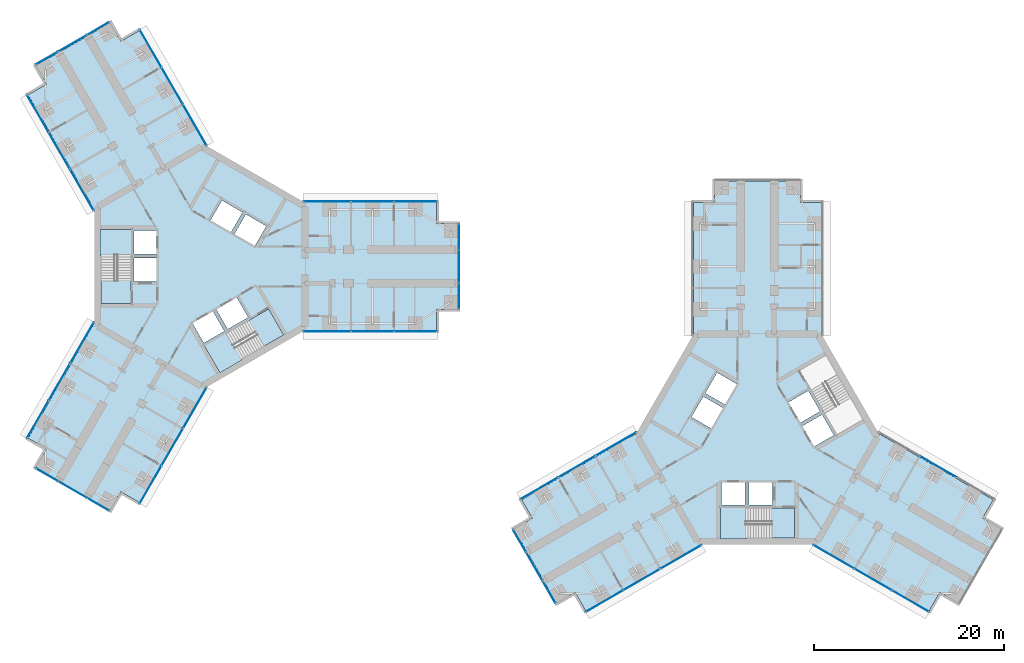
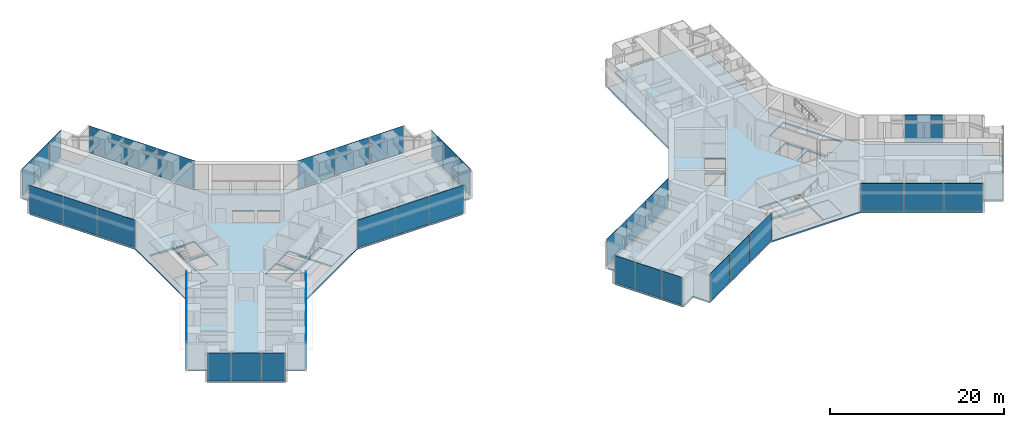
# One storey, part 14 of 22: 40 plates, 8 slabs, 17 elements without a shape of their own.
"""IFC4 building model written with IfcOpenShell, lengths in metres."""

from ifc_helpers import new_model, si_unit, direction, frame, origin, origin_2d, place, context, subcontext, project, spatial, polyline, rectangle, outline, extrude, material, layer, layer_set, type_object, element, aggregate, save


model = new_model("IFC4")

# Units and contexts
model_context = context("Model", 3, precision=1e-05, world=origin(), true_north=direction((0.0, 1.0)))
body_context = subcontext(model_context, "Body", "Model", "MODEL_VIEW")
ifc_project = project(units=[si_unit("LENGTHUNIT", "METRE"), si_unit("AREAUNIT", "SQUARE_METRE"), si_unit("VOLUMEUNIT", "CUBIC_METRE"), si_unit("PLANEANGLEUNIT", "RADIAN"), si_unit("MASSUNIT", "GRAM", prefix="KILO")], contexts=[model_context])

# Site, building, storey
site_placement = place(None, origin())
site = spatial("IfcSite", under=ifc_project, at=site_placement, CompositionType="ELEMENT")
building_placement = place(site_placement, origin())
building = spatial("IfcBuilding", under=site, at=building_placement, Name="Upepo Twin Towers", CompositionType="ELEMENT")
storey_placement = place(building_placement, frame((0.0, 0.0, 36.5)))
storey = spatial("IfcBuildingStorey", under=building, at=storey_placement, Name="L08", CompositionType="ELEMENT", Elevation=36.5)

# Curtain wall, plates
ifc_material_1 = material(Name="Aluminium and fritted glass", Category="aluminium")
curtain_wall_type = type_object("IfcCurtainWallType", Name="Tower curtain wall TW1, fritted glass", PredefinedType="NOTDEFINED", material=ifc_material_1)
curtain_wall_1_placement = place(storey_placement, origin())
curtain_wall_1 = element("IfcCurtainWall", 1, at=curtain_wall_1_placement, inside=storey, type_object=curtain_wall_type, Name="T1 L08 wing A flank L curtain wall", PredefinedType="NOTDEFINED")
ifc_material_2 = material(Name="Ceramic-fritted laminated glass", Category="glass")
ifc_layer_1 = layer(ifc_material_2, 0.031982421875)
ifc_layer_set_1 = layer_set([ifc_layer_1], Name="Fritted glass panel, 20 per cent dot frit, 32 mm double glazed")
plate_type_1 = type_object("IfcPlateType", Name="Fritted glass panel, 20 per cent dot frit, 32 mm double glazed", PredefinedType="CURTAIN_PANEL", material=ifc_layer_set_1)
plate_1_placement = place(storey_placement, frame((13.23486328125, 6.85009765625, 0.14990234375), z_axis=(0.0, 0.0, 1.0), x_axis=(1.0, 0.0, 0.0)))
plate_1 = element("IfcPlate", 2, at=plate_1_placement, type_object=plate_type_1, Name="T1 L08 wing A flank L curtain wall panel 1", PredefinedType="CURTAIN_PANEL", context=body_context, shape_type="SweptSolid", body=[
    extrude(rectangle(XDim=4.96533203125, YDim=0.031982421875, at=origin_2d()), origin(), (0.0, 0.0, 1.0), 3.85009765625),
])
plate_2_placement = place(storey_placement, frame((18.0, 6.85009765625, 0.14990234375), z_axis=(0.0, 0.0, 1.0), x_axis=(1.0, 0.0, 0.0)))
plate_2 = element("IfcPlate", 3, at=plate_2_placement, type_object=plate_type_1, Name="T1 L08 wing A flank L curtain wall panel 2", PredefinedType="CURTAIN_PANEL", context=body_context, shape_type="SweptSolid", body=[
    extrude(rectangle(XDim=4.43505859375, YDim=0.031982421875, at=origin_2d()), origin(), (0.0, 0.0, 1.0), 3.85009765625),
])
plate_3_placement = place(storey_placement, frame((22.53369140625, 6.85009765625, 0.14990234375), z_axis=(0.0, 0.0, 1.0), x_axis=(1.0, 0.0, 0.0)))
plate_3 = element("IfcPlate", 4, at=plate_3_placement, type_object=plate_type_1, Name="T1 L08 wing A flank L curtain wall panel 3", PredefinedType="CURTAIN_PANEL", context=body_context, shape_type="SweptSolid", body=[
    extrude(rectangle(XDim=4.50244140625, YDim=0.031982421875, at=origin_2d()), origin(), (0.0, 0.0, 1.0), 3.85009765625),
])
aggregate(curtain_wall_1, [plate_1, plate_2, plate_3])

curtain_wall_2_placement = place(storey_placement, origin())
curtain_wall_2 = element("IfcCurtainWall", 5, at=curtain_wall_2_placement, inside=storey, type_object=curtain_wall_type, Name="T1 L08 wing A flank R curtain wall", PredefinedType="NOTDEFINED")
plate_4_placement = place(storey_placement, frame((22.53369140625, -6.85009765625, 0.14990234375), z_axis=(0.0, 0.0, 1.0), x_axis=(-1.0, 0.0, 0.0)))
plate_4 = element("IfcPlate", 6, at=plate_4_placement, type_object=plate_type_1, Name="T1 L08 wing A flank R curtain wall panel 1", PredefinedType="CURTAIN_PANEL", context=body_context, shape_type="SweptSolid", body=[
    extrude(rectangle(XDim=4.50244140625, YDim=0.031982421875, at=origin_2d()), origin(), (0.0, 0.0, 1.0), 3.85009765625),
])
plate_5_placement = place(storey_placement, frame((18.0, -6.85009765625, 0.14990234375), z_axis=(0.0, 0.0, 1.0), x_axis=(-1.0, 0.0, 0.0)))
plate_5 = element("IfcPlate", 7, at=plate_5_placement, type_object=plate_type_1, Name="T1 L08 wing A flank R curtain wall panel 2", PredefinedType="CURTAIN_PANEL", context=body_context, shape_type="SweptSolid", body=[
    extrude(rectangle(XDim=4.43505859375, YDim=0.031982421875, at=origin_2d()), origin(), (0.0, 0.0, 1.0), 3.85009765625),
])
plate_6_placement = place(storey_placement, frame((13.23486328125, -6.85009765625, 0.14990234375), z_axis=(0.0, 0.0, 1.0), x_axis=(-1.0, 0.0, 0.0)))
plate_6 = element("IfcPlate", 8, at=plate_6_placement, type_object=plate_type_1, Name="T1 L08 wing A flank R curtain wall panel 3", PredefinedType="CURTAIN_PANEL", context=body_context, shape_type="SweptSolid", body=[
    extrude(rectangle(XDim=4.96533203125, YDim=0.031982421875, at=origin_2d()), origin(), (0.0, 0.0, 1.0), 3.85009765625),
])
aggregate(curtain_wall_2, [plate_4, plate_5, plate_6])

# Curtain wall, plate
curtain_wall_3_placement = place(storey_placement, origin())
curtain_wall_3 = element("IfcCurtainWall", 9, at=curtain_wall_3_placement, inside=storey, type_object=curtain_wall_type, Name="T1 L08 wing A nose curtain wall", PredefinedType="NOTDEFINED")
plate_7_placement = place(storey_placement, frame((27.10009765625, 0.0, 0.14990234375), z_axis=(0.0, 0.0, 1.0), x_axis=(0.0, 1.0, 0.0)))
plate_7 = element("IfcPlate", 10, at=plate_7_placement, type_object=plate_type_1, Name="T1 L08 wing A nose curtain wall panel 2", PredefinedType="CURTAIN_PANEL", context=body_context, shape_type="SweptSolid", body=[
    extrude(rectangle(XDim=3.43505859375, YDim=0.031982421875, at=origin_2d()), origin(), (0.0, 0.0, 1.0), 3.85009765625),
])

# Curtain wall, plates
curtain_wall_4_placement = place(storey_placement, origin())
curtain_wall_4 = element("IfcCurtainWall", 11, at=curtain_wall_4_placement, inside=storey, type_object=curtain_wall_type, Name="T1 L08 wing B flank L curtain wall", PredefinedType="NOTDEFINED")
plate_8_placement = place(storey_placement, frame((-12.549560546875, 8.03662109375, 0.14990234375), z_axis=(0.0, 0.0, 1.0), x_axis=(-0.500000024426, 0.866025389682, 0.0)))
plate_8 = element("IfcPlate", 12, at=plate_8_placement, type_object=plate_type_1, Name="T1 L08 wing B flank L curtain wall panel 1", PredefinedType="CURTAIN_PANEL", context=body_context, shape_type="SweptSolid", body=[
    extrude(rectangle(XDim=4.96533203125, YDim=0.031982421875, at=origin_2d()), origin(), (0.0, 0.0, 1.0), 3.85009765625),
])
plate_9_placement = place(storey_placement, frame((-14.932373046875, 12.16357421875, 0.14990234375), z_axis=(0.0, 0.0, 1.0), x_axis=(-0.500000024426, 0.866025389682, 0.0)))
plate_9 = element("IfcPlate", 13, at=plate_9_placement, type_object=plate_type_1, Name="T1 L08 wing B flank L curtain wall panel 2", PredefinedType="CURTAIN_PANEL", context=body_context, shape_type="SweptSolid", body=[
    extrude(rectangle(XDim=4.43505859375, YDim=0.031982421875, at=origin_2d()), origin(), (0.0, 0.0, 1.0), 3.85009765625),
])
plate_10_placement = place(storey_placement, frame((-17.19921875, 16.08984375, 0.14990234375), z_axis=(0.0, 0.0, 1.0), x_axis=(-0.500000024426, 0.866025389682, 0.0)))
plate_10 = element("IfcPlate", 14, at=plate_10_placement, type_object=plate_type_1, Name="T1 L08 wing B flank L curtain wall panel 3", PredefinedType="CURTAIN_PANEL", context=body_context, shape_type="SweptSolid", body=[
    extrude(rectangle(XDim=4.50244140625, YDim=0.031982421875, at=origin_2d()), origin(), (0.0, 0.0, 1.0), 3.85009765625),
])
aggregate(curtain_wall_4, [plate_8, plate_9, plate_10])

curtain_wall_5_placement = place(storey_placement, origin())
curtain_wall_5 = element("IfcCurtainWall", 15, at=curtain_wall_5_placement, inside=storey, type_object=curtain_wall_type, Name="T1 L08 wing B flank R curtain wall", PredefinedType="NOTDEFINED")
plate_11_placement = place(storey_placement, frame((-5.334716796875, 22.939697265625, 0.14990234375), z_axis=(0.0, 0.0, 1.0), x_axis=(0.500000024426, -0.866025389682, 0.0)))
plate_11 = element("IfcPlate", 16, at=plate_11_placement, type_object=plate_type_1, Name="T1 L08 wing B flank R curtain wall panel 1", PredefinedType="CURTAIN_PANEL", context=body_context, shape_type="SweptSolid", body=[
    extrude(rectangle(XDim=4.50244140625, YDim=0.031982421875, at=origin_2d()), origin(), (0.0, 0.0, 1.0), 3.85009765625),
])
plate_12_placement = place(storey_placement, frame((-3.067626953125, 19.013427734375, 0.14990234375), z_axis=(0.0, 0.0, 1.0), x_axis=(0.500000024426, -0.866025389682, 0.0)))
plate_12 = element("IfcPlate", 17, at=plate_12_placement, type_object=plate_type_1, Name="T1 L08 wing B flank R curtain wall panel 2", PredefinedType="CURTAIN_PANEL", context=body_context, shape_type="SweptSolid", body=[
    extrude(rectangle(XDim=4.43505859375, YDim=0.031982421875, at=origin_2d()), origin(), (0.0, 0.0, 1.0), 3.85009765625),
])
plate_13_placement = place(storey_placement, frame((-0.68505859375, 14.88671875, 0.14990234375), z_axis=(0.0, 0.0, 1.0), x_axis=(0.500000024426, -0.866025389682, 0.0)))
plate_13 = element("IfcPlate", 18, at=plate_13_placement, type_object=plate_type_1, Name="T1 L08 wing B flank R curtain wall panel 3", PredefinedType="CURTAIN_PANEL", context=body_context, shape_type="SweptSolid", body=[
    extrude(rectangle(XDim=4.96533203125, YDim=0.031982421875, at=origin_2d()), origin(), (0.0, 0.0, 1.0), 3.85009765625),
])
aggregate(curtain_wall_5, [plate_11, plate_12, plate_13])

# Curtain wall, plate
curtain_wall_6_placement = place(storey_placement, origin())
curtain_wall_6 = element("IfcCurtainWall", 19, at=curtain_wall_6_placement, inside=storey, type_object=curtain_wall_type, Name="T1 L08 wing B nose curtain wall", PredefinedType="NOTDEFINED")
plate_14_placement = place(storey_placement, frame((-13.550048828125, 23.46923828125, 0.14990234375), z_axis=(0.0, 0.0, 1.0), x_axis=(-0.866025386174, -0.500000030502, 0.0)))
plate_14 = element("IfcPlate", 20, at=plate_14_placement, type_object=plate_type_1, Name="T1 L08 wing B nose curtain wall panel 2", PredefinedType="CURTAIN_PANEL", context=body_context, shape_type="SweptSolid", body=[
    extrude(rectangle(XDim=3.43505859375, YDim=0.031982421875, at=origin_2d()), origin(), (0.0, 0.0, 1.0), 3.85009765625),
])

# Curtain wall, plates
curtain_wall_7_placement = place(storey_placement, origin())
curtain_wall_7 = element("IfcCurtainWall", 21, at=curtain_wall_7_placement, inside=storey, type_object=curtain_wall_type, Name="T1 L08 wing C flank L curtain wall", PredefinedType="NOTDEFINED")
plate_15_placement = place(storey_placement, frame((-0.68505859375, -14.88671875, 0.14990234375), z_axis=(0.0, 0.0, 1.0), x_axis=(-0.500000024426, -0.866025389682, 0.0)))
plate_15 = element("IfcPlate", 22, at=plate_15_placement, type_object=plate_type_1, Name="T1 L08 wing C flank L curtain wall panel 1", PredefinedType="CURTAIN_PANEL", context=body_context, shape_type="SweptSolid", body=[
    extrude(rectangle(XDim=4.96533203125, YDim=0.031982421875, at=origin_2d()), origin(), (0.0, 0.0, 1.0), 3.85009765625),
])
plate_16_placement = place(storey_placement, frame((-3.067626953125, -19.013427734375, 0.14990234375), z_axis=(0.0, 0.0, 1.0), x_axis=(-0.500000024426, -0.866025389682, 0.0)))
plate_16 = element("IfcPlate", 23, at=plate_16_placement, type_object=plate_type_1, Name="T1 L08 wing C flank L curtain wall panel 2", PredefinedType="CURTAIN_PANEL", context=body_context, shape_type="SweptSolid", body=[
    extrude(rectangle(XDim=4.43505859375, YDim=0.031982421875, at=origin_2d()), origin(), (0.0, 0.0, 1.0), 3.85009765625),
])
plate_17_placement = place(storey_placement, frame((-5.334716796875, -22.939697265625, 0.14990234375), z_axis=(0.0, 0.0, 1.0), x_axis=(-0.500000024426, -0.866025389682, 0.0)))
plate_17 = element("IfcPlate", 24, at=plate_17_placement, type_object=plate_type_1, Name="T1 L08 wing C flank L curtain wall panel 3", PredefinedType="CURTAIN_PANEL", context=body_context, shape_type="SweptSolid", body=[
    extrude(rectangle(XDim=4.50244140625, YDim=0.031982421875, at=origin_2d()), origin(), (0.0, 0.0, 1.0), 3.85009765625),
])
aggregate(curtain_wall_7, [plate_15, plate_16, plate_17])

curtain_wall_8_placement = place(storey_placement, origin())
curtain_wall_8 = element("IfcCurtainWall", 25, at=curtain_wall_8_placement, inside=storey, type_object=curtain_wall_type, Name="T1 L08 wing C flank R curtain wall", PredefinedType="NOTDEFINED")
plate_18_placement = place(storey_placement, frame((-17.19921875, -16.08984375, 0.14990234375), z_axis=(0.0, 0.0, 1.0), x_axis=(0.500000024426, 0.866025389682, 0.0)))
plate_18 = element("IfcPlate", 26, at=plate_18_placement, type_object=plate_type_1, Name="T1 L08 wing C flank R curtain wall panel 1", PredefinedType="CURTAIN_PANEL", context=body_context, shape_type="SweptSolid", body=[
    extrude(rectangle(XDim=4.50244140625, YDim=0.031982421875, at=origin_2d()), origin(), (0.0, 0.0, 1.0), 3.85009765625),
])
plate_19_placement = place(storey_placement, frame((-14.932373046875, -12.16357421875, 0.14990234375), z_axis=(0.0, 0.0, 1.0), x_axis=(0.500000024426, 0.866025389682, 0.0)))
plate_19 = element("IfcPlate", 27, at=plate_19_placement, type_object=plate_type_1, Name="T1 L08 wing C flank R curtain wall panel 2", PredefinedType="CURTAIN_PANEL", context=body_context, shape_type="SweptSolid", body=[
    extrude(rectangle(XDim=4.43505859375, YDim=0.031982421875, at=origin_2d()), origin(), (0.0, 0.0, 1.0), 3.85009765625),
])
plate_20_placement = place(storey_placement, frame((-12.549560546875, -8.03662109375, 0.14990234375), z_axis=(0.0, 0.0, 1.0), x_axis=(0.500000024426, 0.866025389682, 0.0)))
plate_20 = element("IfcPlate", 28, at=plate_20_placement, type_object=plate_type_1, Name="T1 L08 wing C flank R curtain wall panel 3", PredefinedType="CURTAIN_PANEL", context=body_context, shape_type="SweptSolid", body=[
    extrude(rectangle(XDim=4.96533203125, YDim=0.031982421875, at=origin_2d()), origin(), (0.0, 0.0, 1.0), 3.85009765625),
])
aggregate(curtain_wall_8, [plate_18, plate_19, plate_20])

# Curtain wall, plate
curtain_wall_9_placement = place(storey_placement, origin())
curtain_wall_9 = element("IfcCurtainWall", 29, at=curtain_wall_9_placement, inside=storey, type_object=curtain_wall_type, Name="T1 L08 wing C nose curtain wall", PredefinedType="NOTDEFINED")
plate_21_placement = place(storey_placement, frame((-13.550048828125, -23.46923828125, 0.14990234375), z_axis=(0.0, 0.0, 1.0), x_axis=(0.866025386174, -0.500000030502, 0.0)))
plate_21 = element("IfcPlate", 30, at=plate_21_placement, type_object=plate_type_1, Name="T1 L08 wing C nose curtain wall panel 2", PredefinedType="CURTAIN_PANEL", context=body_context, shape_type="SweptSolid", body=[
    extrude(rectangle(XDim=3.43505859375, YDim=0.031982421875, at=origin_2d()), origin(), (0.0, 0.0, 1.0), 3.85009765625),
])

# Curtain wall, plates
curtain_wall_10_placement = place(storey_placement, origin())
curtain_wall_10 = element("IfcCurtainWall", 31, at=curtain_wall_10_placement, inside=storey, type_object=curtain_wall_type, Name="T2 L08 wing B flank L curtain wall", PredefinedType="NOTDEFINED")
plate_22_placement = place(storey_placement, frame((50.46337890625, -30.549560546875, 0.14990234375), z_axis=(0.0, 0.0, 1.0), x_axis=(-0.866025389682, -0.500000024426, 0.0)))
plate_22 = element("IfcPlate", 32, at=plate_22_placement, type_object=plate_type_1, Name="T2 L08 wing B flank L curtain wall panel 1", PredefinedType="CURTAIN_PANEL", context=body_context, shape_type="SweptSolid", body=[
    extrude(rectangle(XDim=4.96533203125, YDim=0.031982421875, at=origin_2d()), origin(), (0.0, 0.0, 1.0), 3.85009765625),
])
plate_23_placement = place(storey_placement, frame((46.33642578125, -32.932373046875, 0.14990234375), z_axis=(0.0, 0.0, 1.0), x_axis=(-0.866025389682, -0.500000024426, 0.0)))
plate_23 = element("IfcPlate", 33, at=plate_23_placement, type_object=plate_type_1, Name="T2 L08 wing B flank L curtain wall panel 2", PredefinedType="CURTAIN_PANEL", context=body_context, shape_type="SweptSolid", body=[
    extrude(rectangle(XDim=4.43505859375, YDim=0.031982421875, at=origin_2d()), origin(), (0.0, 0.0, 1.0), 3.85009765625),
])
plate_24_placement = place(storey_placement, frame((42.41015625, -35.19921875, 0.14990234375), z_axis=(0.0, 0.0, 1.0), x_axis=(-0.866025389682, -0.500000024426, 0.0)))
plate_24 = element("IfcPlate", 34, at=plate_24_placement, type_object=plate_type_1, Name="T2 L08 wing B flank L curtain wall panel 3", PredefinedType="CURTAIN_PANEL", context=body_context, shape_type="SweptSolid", body=[
    extrude(rectangle(XDim=4.50244140625, YDim=0.031982421875, at=origin_2d()), origin(), (0.0, 0.0, 1.0), 3.85009765625),
])
aggregate(curtain_wall_10, [plate_22, plate_23, plate_24])

curtain_wall_11_placement = place(storey_placement, origin())
curtain_wall_11 = element("IfcCurtainWall", 35, at=curtain_wall_11_placement, inside=storey, type_object=curtain_wall_type, Name="T2 L08 wing B flank R curtain wall", PredefinedType="NOTDEFINED")
plate_25_placement = place(storey_placement, frame((35.560302734375, -23.334716796875, 0.14990234375), z_axis=(0.0, 0.0, 1.0), x_axis=(0.866025389682, 0.500000024426, 0.0)))
plate_25 = element("IfcPlate", 36, at=plate_25_placement, type_object=plate_type_1, Name="T2 L08 wing B flank R curtain wall panel 1", PredefinedType="CURTAIN_PANEL", context=body_context, shape_type="SweptSolid", body=[
    extrude(rectangle(XDim=4.50244140625, YDim=0.031982421875, at=origin_2d()), origin(), (0.0, 0.0, 1.0), 3.85009765625),
])
plate_26_placement = place(storey_placement, frame((39.486572265625, -21.067626953125, 0.14990234375), z_axis=(0.0, 0.0, 1.0), x_axis=(0.866025389682, 0.500000024426, 0.0)))
plate_26 = element("IfcPlate", 37, at=plate_26_placement, type_object=plate_type_1, Name="T2 L08 wing B flank R curtain wall panel 2", PredefinedType="CURTAIN_PANEL", context=body_context, shape_type="SweptSolid", body=[
    extrude(rectangle(XDim=4.43505859375, YDim=0.031982421875, at=origin_2d()), origin(), (0.0, 0.0, 1.0), 3.85009765625),
])
plate_27_placement = place(storey_placement, frame((43.61328125, -18.68505859375, 0.14990234375), z_axis=(0.0, 0.0, 1.0), x_axis=(0.866025389682, 0.500000024426, 0.0)))
plate_27 = element("IfcPlate", 38, at=plate_27_placement, type_object=plate_type_1, Name="T2 L08 wing B flank R curtain wall panel 3", PredefinedType="CURTAIN_PANEL", context=body_context, shape_type="SweptSolid", body=[
    extrude(rectangle(XDim=4.96533203125, YDim=0.031982421875, at=origin_2d()), origin(), (0.0, 0.0, 1.0), 3.85009765625),
])
aggregate(curtain_wall_11, [plate_25, plate_26, plate_27])

# Curtain wall, plate
curtain_wall_12_placement = place(storey_placement, origin())
curtain_wall_12 = element("IfcCurtainWall", 39, at=curtain_wall_12_placement, inside=storey, type_object=curtain_wall_type, Name="T2 L08 wing B nose curtain wall", PredefinedType="NOTDEFINED")
plate_28_placement = place(storey_placement, frame((35.03076171875, -31.550048828125, 0.14990234375), z_axis=(0.0, 0.0, 1.0), x_axis=(0.500000030502, -0.866025386174, 0.0)))
plate_28 = element("IfcPlate", 40, at=plate_28_placement, type_object=plate_type_1, Name="T2 L08 wing B nose curtain wall panel 2", PredefinedType="CURTAIN_PANEL", context=body_context, shape_type="SweptSolid", body=[
    extrude(rectangle(XDim=3.43505859375, YDim=0.031982421875, at=origin_2d()), origin(), (0.0, 0.0, 1.0), 3.85009765625),
])

curtain_wall_13_placement = place(storey_placement, origin())
curtain_wall_13 = element("IfcCurtainWall", 41, at=curtain_wall_13_placement, inside=storey, type_object=curtain_wall_type, Name="T2 L08 wing C flank L curtain wall", PredefinedType="NOTDEFINED")
plate_29_placement = place(storey_placement, frame((77.513427734375, -21.067626953125, 0.14990234375), z_axis=(0.0, 0.0, 1.0), x_axis=(0.866025389682, -0.500000024426, 0.0)))
plate_29 = element("IfcPlate", 42, at=plate_29_placement, type_object=plate_type_1, Name="T2 L08 wing C flank L curtain wall panel 2", PredefinedType="CURTAIN_PANEL", context=body_context, shape_type="SweptSolid", body=[
    extrude(rectangle(XDim=4.43505859375, YDim=0.031982421875, at=origin_2d()), origin(), (0.0, 0.0, 1.0), 3.85009765625),
])
aggregate(curtain_wall_13, [plate_29])

# Curtain wall, plates
curtain_wall_14_placement = place(storey_placement, origin())
curtain_wall_14 = element("IfcCurtainWall", 43, at=curtain_wall_14_placement, inside=storey, type_object=curtain_wall_type, Name="T2 L08 wing C flank R curtain wall", PredefinedType="NOTDEFINED")
plate_30_placement = place(storey_placement, frame((74.58984375, -35.19921875, 0.14990234375), z_axis=(0.0, 0.0, 1.0), x_axis=(-0.866025389682, 0.500000024426, 0.0)))
plate_30 = element("IfcPlate", 44, at=plate_30_placement, type_object=plate_type_1, Name="T2 L08 wing C flank R curtain wall panel 1", PredefinedType="CURTAIN_PANEL", context=body_context, shape_type="SweptSolid", body=[
    extrude(rectangle(XDim=4.50244140625, YDim=0.031982421875, at=origin_2d()), origin(), (0.0, 0.0, 1.0), 3.85009765625),
])
plate_31_placement = place(storey_placement, frame((70.66357421875, -32.932373046875, 0.14990234375), z_axis=(0.0, 0.0, 1.0), x_axis=(-0.866025389682, 0.500000024426, 0.0)))
plate_31 = element("IfcPlate", 45, at=plate_31_placement, type_object=plate_type_1, Name="T2 L08 wing C flank R curtain wall panel 2", PredefinedType="CURTAIN_PANEL", context=body_context, shape_type="SweptSolid", body=[
    extrude(rectangle(XDim=4.43505859375, YDim=0.031982421875, at=origin_2d()), origin(), (0.0, 0.0, 1.0), 3.85009765625),
])
plate_32_placement = place(storey_placement, frame((66.53662109375, -30.549560546875, 0.14990234375), z_axis=(0.0, 0.0, 1.0), x_axis=(-0.866025389682, 0.500000024426, 0.0)))
plate_32 = element("IfcPlate", 46, at=plate_32_placement, type_object=plate_type_1, Name="T2 L08 wing C flank R curtain wall panel 3", PredefinedType="CURTAIN_PANEL", context=body_context, shape_type="SweptSolid", body=[
    extrude(rectangle(XDim=4.96533203125, YDim=0.031982421875, at=origin_2d()), origin(), (0.0, 0.0, 1.0), 3.85009765625),
])
aggregate(curtain_wall_14, [plate_30, plate_31, plate_32])

# Plate
ifc_material_3 = material(Name="Clear laminated glass in opening sash", Category="glass")
ifc_layer_2 = layer(ifc_material_3, 0.031982421875)
ifc_layer_set_2 = layer_set([ifc_layer_2], Name="Operable glass panel, 32 mm double glazed")
plate_type_2 = type_object("IfcPlateType", Name="Operable glass panel, 32 mm double glazed", PredefinedType="CURTAIN_PANEL", material=ifc_layer_set_2)
plate_33_placement = place(storey_placement, frame((27.10009765625, -3.108642578125, 0.14990234375), z_axis=(0.0, 0.0, 1.0), x_axis=(0.0, 1.0, 0.0)))
plate_33 = element("IfcPlate", 47, at=plate_33_placement, type_object=plate_type_2, Name="T1 L08 wing A nose curtain wall panel 1", PredefinedType="CURTAIN_PANEL", context=body_context, shape_type="SweptSolid", body=[
    extrude(rectangle(XDim=2.652587890625, YDim=0.031982421875, at=origin_2d()), origin(), (0.0, 0.0, 1.0), 3.85009765625),
])

plate_34_placement = place(storey_placement, frame((27.10009765625, 3.108642578125, 0.14990234375), z_axis=(0.0, 0.0, 1.0), x_axis=(0.0, 1.0, 0.0)))
plate_34 = element("IfcPlate", 48, at=plate_34_placement, type_object=plate_type_2, Name="T1 L08 wing A nose curtain wall panel 3", PredefinedType="CURTAIN_PANEL", context=body_context, shape_type="SweptSolid", body=[
    extrude(rectangle(XDim=2.652587890625, YDim=0.031982421875, at=origin_2d()), origin(), (0.0, 0.0, 1.0), 3.85009765625),
])

aggregate(curtain_wall_3, [plate_33, plate_7, plate_34])

plate_35_placement = place(storey_placement, frame((-10.857666015625, 25.023681640625, 0.14990234375), z_axis=(0.0, 0.0, 1.0), x_axis=(-0.866025386174, -0.500000030502, 0.0)))
plate_35 = element("IfcPlate", 49, at=plate_35_placement, type_object=plate_type_2, Name="T1 L08 wing B nose curtain wall panel 1", PredefinedType="CURTAIN_PANEL", context=body_context, shape_type="SweptSolid", body=[
    extrude(rectangle(XDim=2.652587890625, YDim=0.031982421875, at=origin_2d()), origin(), (0.0, 0.0, 1.0), 3.85009765625),
])

plate_36_placement = place(storey_placement, frame((-16.2421875, 21.914794921875, 0.14990234375), z_axis=(0.0, 0.0, 1.0), x_axis=(-0.866025386174, -0.500000030502, 0.0)))
plate_36 = element("IfcPlate", 50, at=plate_36_placement, type_object=plate_type_2, Name="T1 L08 wing B nose curtain wall panel 3", PredefinedType="CURTAIN_PANEL", context=body_context, shape_type="SweptSolid", body=[
    extrude(rectangle(XDim=2.652587890625, YDim=0.031982421875, at=origin_2d()), origin(), (0.0, 0.0, 1.0), 3.85009765625),
])

aggregate(curtain_wall_6, [plate_35, plate_14, plate_36])

plate_37_placement = place(storey_placement, frame((-16.2421875, -21.914794921875, 0.14990234375), z_axis=(0.0, 0.0, 1.0), x_axis=(0.866025386174, -0.500000030502, 0.0)))
plate_37 = element("IfcPlate", 51, at=plate_37_placement, type_object=plate_type_2, Name="T1 L08 wing C nose curtain wall panel 1", PredefinedType="CURTAIN_PANEL", context=body_context, shape_type="SweptSolid", body=[
    extrude(rectangle(XDim=2.652587890625, YDim=0.031982421875, at=origin_2d()), origin(), (0.0, 0.0, 1.0), 3.85009765625),
])

plate_38_placement = place(storey_placement, frame((-10.857666015625, -25.023681640625, 0.14990234375), z_axis=(0.0, 0.0, 1.0), x_axis=(0.866025386174, -0.500000030502, 0.0)))
plate_38 = element("IfcPlate", 52, at=plate_38_placement, type_object=plate_type_2, Name="T1 L08 wing C nose curtain wall panel 3", PredefinedType="CURTAIN_PANEL", context=body_context, shape_type="SweptSolid", body=[
    extrude(rectangle(XDim=2.652587890625, YDim=0.031982421875, at=origin_2d()), origin(), (0.0, 0.0, 1.0), 3.85009765625),
])

aggregate(curtain_wall_9, [plate_37, plate_21, plate_38])

plate_39_placement = place(storey_placement, frame((33.476318359375, -28.857666015625, 0.14990234375), z_axis=(0.0, 0.0, 1.0), x_axis=(0.500000030502, -0.866025386174, 0.0)))
plate_39 = element("IfcPlate", 53, at=plate_39_placement, type_object=plate_type_2, Name="T2 L08 wing B nose curtain wall panel 1", PredefinedType="CURTAIN_PANEL", context=body_context, shape_type="SweptSolid", body=[
    extrude(rectangle(XDim=2.652587890625, YDim=0.031982421875, at=origin_2d()), origin(), (0.0, 0.0, 1.0), 3.85009765625),
])

plate_40_placement = place(storey_placement, frame((36.585205078125, -34.2421875, 0.14990234375), z_axis=(0.0, 0.0, 1.0), x_axis=(0.500000030502, -0.866025386174, 0.0)))
plate_40 = element("IfcPlate", 54, at=plate_40_placement, type_object=plate_type_2, Name="T2 L08 wing B nose curtain wall panel 3", PredefinedType="CURTAIN_PANEL", context=body_context, shape_type="SweptSolid", body=[
    extrude(rectangle(XDim=2.652587890625, YDim=0.031982421875, at=origin_2d()), origin(), (0.0, 0.0, 1.0), 3.85009765625),
])

aggregate(curtain_wall_12, [plate_39, plate_28, plate_40])

# Stair, slabs
ifc_material_4 = material(Name="Concrete C40/50", Category="concrete")
stair_type = type_object("IfcStairType", Name="Core stair, two flights", PredefinedType="HALF_TURN_STAIR", material=ifc_material_4)
stair_1_placement = place(storey_placement, origin())
stair_1 = element("IfcStair", 55, at=stair_1_placement, inside=storey, type_object=stair_type, Name="T1 stair S1 L08", PredefinedType="HALF_TURN_STAIR")
ifc_material_5 = material(Name="Concrete C40/50", Category="concrete")
ifc_layer_3 = layer(ifc_material_5, 0.199951171875)
ifc_layer_set_3 = layer_set([ifc_layer_3], Name="Concrete C40/50")
slab_type_1 = type_object("IfcSlabType", Name="Stair landing 200 RC", PredefinedType="LANDING", material=ifc_layer_set_3)
slab_1_placement = place(storey_placement, frame((0.0, 0.0, -0.199951171875)))
slab_1 = element("IfcSlab", 56, at=slab_1_placement, type_object=slab_type_1, Name="Stair S1 landing 1", PredefinedType="LANDING", context=body_context, shape_type="SweptSolid", body=[
    extrude(outline(polyline([(-7.39990234375, -1.419921875), (-10.558349609375, -1.419921875), (-10.558349609375, -3.89990234375), (-7.39990234375, -3.89990234375), (-7.39990234375, -1.419921875)])), origin(), (0.0, 0.0, 1.0), 0.199951171875),
])
slab_2_placement = place(storey_placement, frame((0.0, 0.0, 1.800048828125)))
slab_2 = element("IfcSlab", 57, at=slab_2_placement, type_object=slab_type_1, Name="Stair S1 landing 2", PredefinedType="LANDING", context=body_context, shape_type="SweptSolid", body=[
    extrude(outline(polyline([(-7.300048828125, 3.89990234375), (-10.658447265625, 3.89990234375), (-10.658447265625, 1.179931640625), (-7.300048828125, 1.179931640625), (-7.300048828125, 3.89990234375)])), origin(), (0.0, 0.0, 1.0), 0.199951171875),
])
aggregate(stair_1, [slab_1, slab_2])

stair_2_placement = place(storey_placement, origin())
stair_2 = element("IfcStair", 58, at=stair_2_placement, inside=storey, type_object=stair_type, Name="T1 stair S2 L08", PredefinedType="HALF_TURN_STAIR")
slab_3_placement = place(storey_placement, frame((0.0, 0.0, -0.199951171875)))
slab_3 = element("IfcSlab", 59, at=slab_3_placement, type_object=slab_type_1, Name="Stair S2 landing 1", PredefinedType="LANDING", context=body_context, shape_type="SweptSolid", body=[
    extrude(outline(polyline([(4.9296875, -5.698486328125), (6.509033203125, -8.433837890625), (8.65673828125, -7.19384765625), (7.077392578125, -4.45849609375), (4.9296875, -5.698486328125)])), origin(), (0.0, 0.0, 1.0), 0.199951171875),
])
slab_4_placement = place(storey_placement, frame((0.0, 0.0, 1.800048828125)))
slab_4 = element("IfcSlab", 60, at=slab_4_placement, type_object=slab_type_1, Name="Stair S2 landing 2", PredefinedType="LANDING", context=body_context, shape_type="SweptSolid", body=[
    extrude(outline(polyline([(0.2724609375, -8.27197265625), (1.95166015625, -11.180419921875), (4.307373046875, -9.8203125), (2.628173828125, -6.911865234375), (0.2724609375, -8.27197265625)])), origin(), (0.0, 0.0, 1.0), 0.199951171875),
])
aggregate(stair_2, [slab_3, slab_4])

stair_3_placement = place(storey_placement, origin())
stair_3 = element("IfcStair", 61, at=stair_3_placement, inside=storey, type_object=stair_type, Name="T2 stair S1 L08", PredefinedType="HALF_TURN_STAIR")
slab_5_placement = place(storey_placement, frame((0.0, 0.0, -0.199951171875)))
slab_5 = element("IfcSlab", 62, at=slab_5_placement, type_object=slab_type_1, Name="Stair S1 landing 1", PredefinedType="LANDING", context=body_context, shape_type="SweptSolid", body=[
    extrude(outline(polyline([(59.919921875, -25.39990234375), (59.919921875, -28.558349609375), (62.39990234375, -28.558349609375), (62.39990234375, -25.39990234375), (59.919921875, -25.39990234375)])), origin(), (0.0, 0.0, 1.0), 0.199951171875),
])
slab_6_placement = place(storey_placement, frame((0.0, 0.0, 1.800048828125)))
slab_6 = element("IfcSlab", 63, at=slab_6_placement, type_object=slab_type_1, Name="Stair S1 landing 2", PredefinedType="LANDING", context=body_context, shape_type="SweptSolid", body=[
    extrude(outline(polyline([(54.60009765625, -25.300048828125), (54.60009765625, -28.658447265625), (57.320068359375, -28.658447265625), (57.320068359375, -25.300048828125), (54.60009765625, -25.300048828125)])), origin(), (0.0, 0.0, 1.0), 0.199951171875),
])
aggregate(stair_3, [slab_5, slab_6])

# Slabs
ifc_material_6 = material(Name="Concrete C40/50", Category="concrete")
ifc_layer_4 = layer(ifc_material_6, 0.199951171875)
ifc_layer_set_4 = layer_set([ifc_layer_4], Name="Concrete C40/50")
slab_type_2 = type_object("IfcSlabType", Name="Tower floor slab 200 RC", PredefinedType="FLOOR", material=ifc_layer_set_4)
slab_7_placement = place(storey_placement, frame((0.0, 0.0, -0.199951171875)))
element("IfcSlab", 64, at=slab_7_placement, inside=storey, type_object=slab_type_2, Name="T1 L08 floor slab", PredefinedType="FLOOR", context=body_context, shape_type="SweptSolid", body=[
    extrude(outline(polyline([(-8.477783203125, -23.68408203125), (-9.602783203125, -25.632568359375), (-17.397216796875, -21.132568359375), (-16.272216796875, -19.18408203125), (-18.220703125, -18.05908203125), (-11.25830078125, -6.0), (-11.25830078125, 6.0), (-18.220703125, 18.05908203125), (-16.272216796875, 19.18408203125), (-17.397216796875, 21.132568359375), (-9.602783203125, 25.632568359375), (-8.477783203125, 23.68408203125), (-6.529296875, 24.80908203125), (0.43310546875, 12.75), (10.825439453125, 6.75), (24.75, 6.75), (24.75, 4.5), (27.0, 4.5), (27.0, -4.5), (24.75, -4.5), (24.75, -6.75), (10.825439453125, -6.75), (0.43310546875, -12.75), (-6.529296875, -24.80908203125), (-8.477783203125, -23.68408203125)]), holes=[polyline([(5.640869140625, 2.17041015625), (6.8408203125, 4.248779296875), (4.67578125, 5.498779296875), (3.475830078125, 3.42041015625), (5.640869140625, 2.17041015625)]), polyline([(3.12939453125, 3.620361328125), (4.329345703125, 5.69873046875), (2.164306640625, 6.94873046875), (0.96435546875, 4.870361328125), (3.12939453125, 3.620361328125)]), polyline([(-4.699951171875, 3.800048828125), (-7.10009765625, 3.800048828125), (-7.10009765625, 1.300048828125), (-4.699951171875, 1.300048828125), (-4.699951171875, 3.800048828125)]), polyline([(-4.699951171875, 0.89990234375), (-7.10009765625, 0.89990234375), (-7.10009765625, -1.60009765625), (-4.699951171875, -1.60009765625), (-4.699951171875, 0.89990234375)]), polyline([(-7.39990234375, 3.89990234375), (-10.558349609375, 3.89990234375), (-10.558349609375, -3.89990234375), (-7.39990234375, -3.89990234375), (-7.39990234375, 3.89990234375)]), polyline([(-0.94091796875, -5.97021484375), (0.259033203125, -8.048828125), (2.424072265625, -6.798828125), (1.22412109375, -4.72021484375), (-0.94091796875, -5.97021484375)]), polyline([(1.570556640625, -4.520263671875), (2.7705078125, -6.598876953125), (4.935546875, -5.348876953125), (3.735595703125, -3.270263671875), (1.570556640625, -4.520263671875)]), polyline([(0.322509765625, -8.358642578125), (1.901611328125, -11.09375), (8.65673828125, -7.19384765625), (7.077392578125, -4.45849609375), (0.322509765625, -8.358642578125)])]), origin(), (0.0, 0.0, 1.0), 0.199951171875),
])
slab_8_placement = place(storey_placement, frame((0.0, 0.0, -0.199951171875)))
element("IfcSlab", 65, at=slab_8_placement, inside=storey, type_object=slab_type_2, Name="T2 L08 floor slab", PredefinedType="FLOOR", context=body_context, shape_type="SweptSolid", body=[
    extrude(outline(polyline([(82.18408203125, -26.477783203125), (84.132568359375, -27.602783203125), (79.632568359375, -35.397216796875), (77.68408203125, -34.272216796875), (76.55908203125, -36.220703125), (64.5, -29.25830078125), (52.5, -29.25830078125), (40.44091796875, -36.220703125), (39.31591796875, -34.272216796875), (37.367431640625, -35.397216796875), (32.867431640625, -27.602783203125), (34.81591796875, -26.477783203125), (33.69091796875, -24.529296875), (45.75, -17.56689453125), (51.75, -7.174560546875), (51.75, 6.75), (54.0, 6.75), (54.0, 9.0), (63.0, 9.0), (63.0, 6.75), (65.25, 6.75), (65.25, -7.174560546875), (71.25, -17.56689453125), (83.30908203125, -24.529296875), (82.18408203125, -26.477783203125)]), holes=[polyline([(56.32958984375, -12.359130859375), (54.251220703125, -11.1591796875), (53.001220703125, -13.32421875), (55.07958984375, -14.524169921875), (56.32958984375, -12.359130859375)]), polyline([(54.879638671875, -14.87060546875), (52.80126953125, -13.670654296875), (51.55126953125, -15.835693359375), (53.629638671875, -17.03564453125), (54.879638671875, -14.87060546875)]), polyline([(54.699951171875, -22.699951171875), (54.699951171875, -25.10009765625), (57.199951171875, -25.10009765625), (57.199951171875, -22.699951171875), (54.699951171875, -22.699951171875)]), polyline([(57.60009765625, -22.699951171875), (57.60009765625, -25.10009765625), (60.10009765625, -25.10009765625), (60.10009765625, -22.699951171875), (57.60009765625, -22.699951171875)]), polyline([(54.60009765625, -25.39990234375), (54.60009765625, -28.558349609375), (62.39990234375, -28.558349609375), (62.39990234375, -25.39990234375), (54.60009765625, -25.39990234375)]), polyline([(64.47021484375, -18.94091796875), (66.548828125, -17.740966796875), (65.298828125, -15.575927734375), (63.22021484375, -16.77587890625), (64.47021484375, -18.94091796875)]), polyline([(63.020263671875, -16.429443359375), (65.098876953125, -15.2294921875), (63.848876953125, -13.064453125), (61.770263671875, -14.264404296875), (63.020263671875, -16.429443359375)]), polyline([(66.858642578125, -17.677490234375), (69.59375, -16.098388671875), (65.69384765625, -9.34326171875), (62.95849609375, -10.922607421875), (66.858642578125, -17.677490234375)])]), origin(), (0.0, 0.0, 1.0), 0.199951171875),
])

save(model, "model.ifc")
